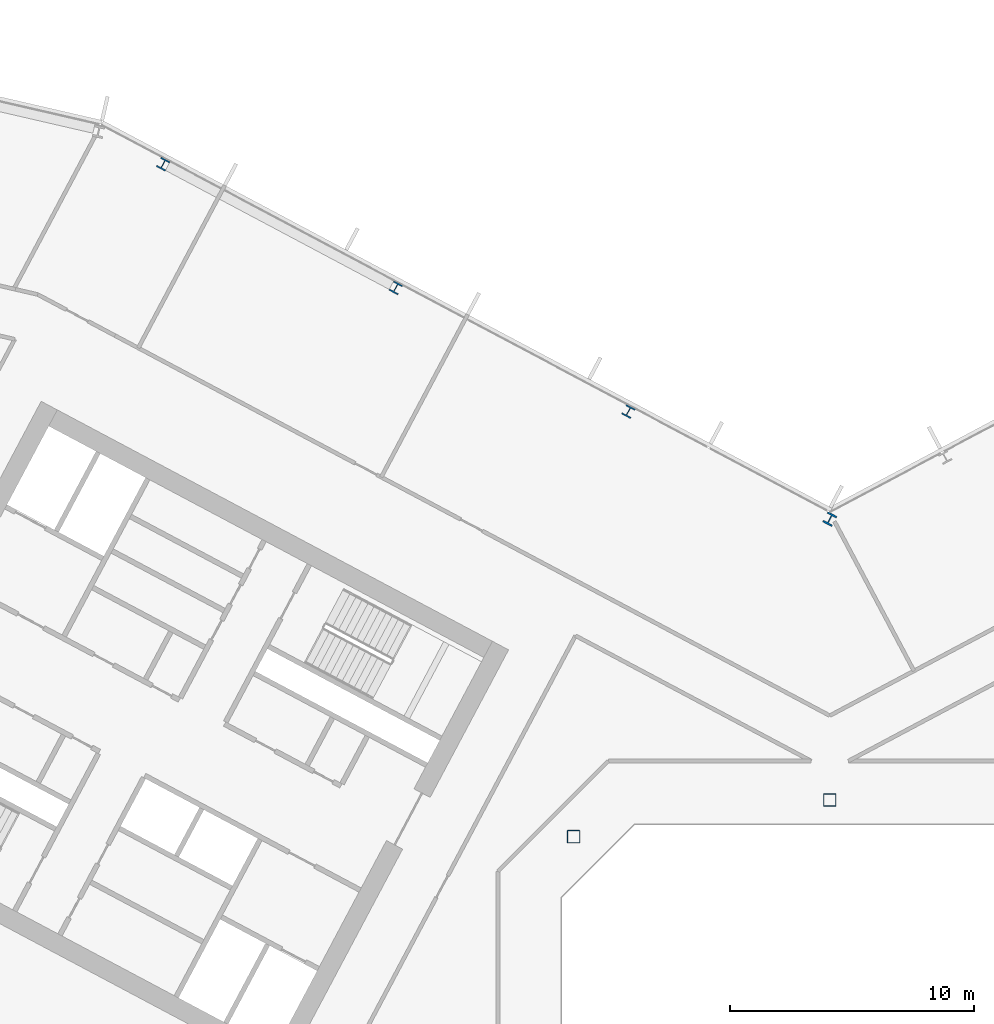
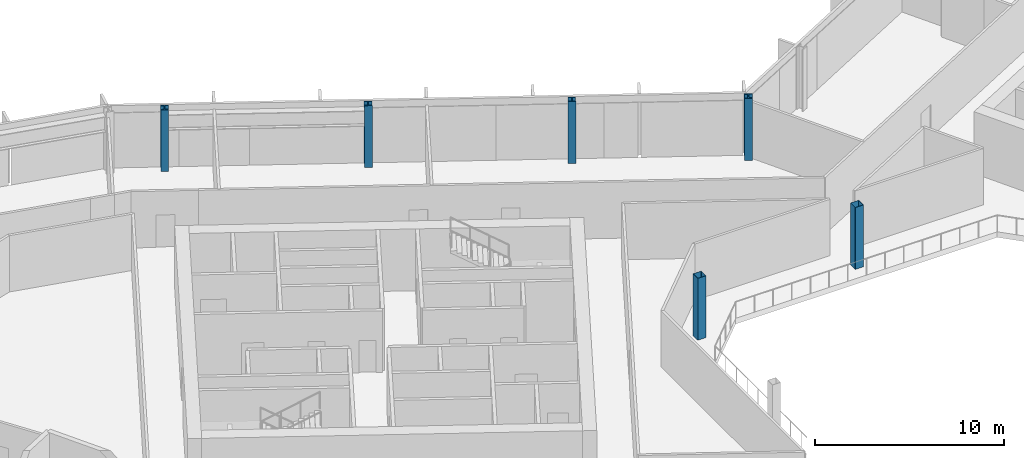
# One storey, part 4 of 28: 6 columns.
"""IFC4 building model written with IfcOpenShell, lengths in metres."""

import ifcopenshell
import ifcopenshell.guid

model = None  # the IFC model being written
_history = None  # IfcOwnerHistory: only IFC2X3 demands one
_inside = {}  # id of a spatial element -> (the spatial element, [elements in it])
_under = {}  # id of a project, library or spatial element -> (it, [spatial elements below it])
_declared = {}  # id of a project -> (the project, [libraries it declares])
_typed = {}  # id of a type object -> (the type object, [elements of that type])
_made_of = {}  # id of a material, layer set ... -> (it, [elements and type objects made of it])


def new_model(schema):
    """Start an empty IFC model of exactly this schema.

    Asked for "IFC4X3", IfcOpenShell would pick the latest addendum, in which some entities
    have other attributes; the version numbers below select the first issue.
    IFC2X3 requires an IfcOwnerHistory on every rooted entity: one is made here for all.
    """
    global model, _history
    if schema == "IFC4X3":
        model = ifcopenshell.file(schema_version=(4, 3, 0, 0))
    else:
        model = ifcopenshell.file(schema=schema)
    _inside.clear()
    _under.clear()
    _declared.clear()
    _typed.clear()
    _made_of.clear()
    _history = None
    if model.schema == "IFC2X3":
        org = make("IfcOrganization", Name="unknown")
        user = make(
            "IfcPersonAndOrganization",
            ThePerson=make("IfcPerson", FamilyName="unknown"),
            TheOrganization=org,
        )
        app = make(
            "IfcApplication",
            ApplicationDeveloper=org,
            Version="unknown",
            ApplicationFullName="unknown",
            ApplicationIdentifier="unknown",
        )
        _history = make(
            "IfcOwnerHistory",
            OwningUser=user,
            OwningApplication=app,
            ChangeAction="ADDED",
            CreationDate=0,
        )
    return model


def make(cls, **values):
    """One entity of the class cls with the attributes given. An attribute that is None is left unset."""
    return model.create_entity(
        cls, **{name: value for name, value in values.items() if value is not None}
    )


def rooted(cls, **values):
    """An entity with a GlobalId (a new one), such as an element, a storey or a relation."""
    return make(cls, GlobalId=ifcopenshell.guid.new(), OwnerHistory=_history, **values)


def si_unit(unit_type, name, prefix=None):
    """IfcSIUnit, for example si_unit("LENGTHUNIT", "METRE", prefix="MILLI")."""
    return make("IfcSIUnit", UnitType=unit_type, Prefix=prefix, Name=name)


def assignment(units):
    """IfcUnitAssignment: the units of a project."""
    return None if units is None else make("IfcUnitAssignment", Units=units)


def point(xyz):
    """IfcCartesianPoint."""
    return None if xyz is None else make("IfcCartesianPoint", Coordinates=xyz)


def direction(xyz):
    """IfcDirection."""
    return None if xyz is None else make("IfcDirection", DirectionRatios=xyz)


def frame(location, z_axis=None, x_axis=None):
    """IfcAxis2Placement3D, a coordinate frame: its origin and axes. An axis left out is left unset."""
    return make(
        "IfcAxis2Placement3D",
        Location=point(location),
        Axis=direction(z_axis),
        RefDirection=direction(x_axis),
    )


def frame_2d(location, x_axis=None):
    """IfcAxis2Placement2D, a coordinate frame in the plane: its origin and x axis."""
    return make(
        "IfcAxis2Placement2D", Location=point(location), RefDirection=direction(x_axis)
    )


def origin():
    """The frame at (0, 0, 0) with its axes left unset."""
    return frame((0.0, 0.0, 0.0))


def origin_2d():
    """The frame at (0, 0) in the plane with its x axis left unset."""
    return frame_2d((0.0, 0.0))


def place(relative_to, where):
    """IfcLocalPlacement: puts the frame where relative to a parent placement (None: the world)."""
    return make(
        "IfcLocalPlacement", PlacementRelTo=relative_to, RelativePlacement=where
    )


def context(
    kind, dimensions, precision=None, world=None, true_north=None, identifier=None
):
    """IfcGeometricRepresentationContext, for example the 3D "Model" context."""
    return make(
        "IfcGeometricRepresentationContext",
        ContextIdentifier=identifier,
        ContextType=kind,
        CoordinateSpaceDimension=dimensions,
        Precision=precision,
        WorldCoordinateSystem=world,
        TrueNorth=true_north,
    )


def subcontext(parent, identifier, kind, view, scale=None):
    """IfcGeometricRepresentationSubContext, for example "Body" below "Model"."""
    return make(
        "IfcGeometricRepresentationSubContext",
        ContextIdentifier=identifier,
        ContextType=kind,
        ParentContext=parent,
        TargetScale=scale,
        TargetView=view,
    )


def project(units=None, contexts=None):
    """IfcProject with its units and contexts."""
    return rooted(
        "IfcProject",
        Name="project",
        RepresentationContexts=contexts,
        UnitsInContext=assignment(units),
    )


def spatial(cls, under=None, at=None, **own):
    """A site, building, storey or space (cls), placed at a placement, below another one or the project."""
    s = rooted(cls, ObjectPlacement=at, **own)
    if under is not None:
        _under.setdefault(under.id(), (under, []))[1].append(s)
    return s


def profile(cls, at=None, kind="AREA", **sizes):
    """A parametric profile (cls). Its sizes go by their IFC names, for example OverallWidth=200.0."""
    return make(cls, ProfileType=kind, Position=at, **sizes)


def hollow_rectangle(**sizes):
    """IfcRectangleHollowProfileDef."""
    return profile("IfcRectangleHollowProfileDef", **sizes)


def i_section(**sizes):
    """IfcIShapeProfileDef."""
    return profile("IfcIShapeProfileDef", **sizes)


def extrude(swept, where, along, depth):
    """IfcExtrudedAreaSolid: the profile swept, set in the frame where, extruded along a direction by depth."""
    return make(
        "IfcExtrudedAreaSolid",
        SweptArea=swept,
        Position=where,
        ExtrudedDirection=direction(along),
        Depth=depth,
    )


def shape(context_of_items, identifier, shape_type, items):
    """IfcShapeRepresentation: the items that make up one representation, for example the "Body"."""
    return make(
        "IfcShapeRepresentation",
        ContextOfItems=context_of_items,
        RepresentationIdentifier=identifier,
        RepresentationType=shape_type,
        Items=items,
    )


def material(Name=None, Category=None):
    """IfcMaterial."""
    return make("IfcMaterial", Name=Name, Category=Category)


def material_profile(
    of_material, cross_section, Name=None, Category=None, Priority=None
):
    """IfcMaterialProfile: a cross section and its material."""
    return make(
        "IfcMaterialProfile",
        Name=Name,
        Material=of_material,
        Profile=cross_section,
        Priority=Priority,
        Category=Category,
    )


def profile_set(profiles, Name=None, composite=None):
    """IfcMaterialProfileSet."""
    return make(
        "IfcMaterialProfileSet",
        Name=Name,
        MaterialProfiles=profiles,
        CompositeProfile=composite,
    )


def made_of(thing, what):
    """Note that an element or type object is made of a material, layer set ...; save() writes the relation."""
    if what is not None:
        _made_of.setdefault(what.id(), (what, []))[1].append(thing)
    return thing


def type_object(cls, material=None, **own):
    """A type object (cls), such as IfcWallType, which elements share."""
    return made_of(rooted(cls, **own), material)


def element(
    cls,
    number,
    at=None,
    inside=None,
    cuts=None,
    type_object=None,
    material=None,
    context=None,
    identifier="Body",
    shape_type=None,
    held_by="IfcProductDefinitionShape",
    body=None,
    shapes=None,
    **own,
):
    """One element of the class cls, such as IfcWall. Its Tag is "e" and its number.

    at: its placement. inside: the storey or other place that contains it. cuts: it is an
    opening in that element (IfcRelVoidsElement). A single representation is given by context,
    identifier, shape_type and body (its items); several are given by shapes. held_by: the class
    of the entity that holds the representations. save() writes the other relations.
    """
    e = rooted(cls, Tag="e%d" % number, ObjectPlacement=at, **own)
    if body is not None:
        shapes = [shape(context, identifier, shape_type, body)]
    if shapes is not None:
        e.Representation = make(held_by, Representations=shapes)
    if inside is not None:
        _inside.setdefault(inside.id(), (inside, []))[1].append(e)
    if cuts is not None:
        rooted(
            "IfcRelVoidsElement", RelatingBuildingElement=cuts, RelatedOpeningElement=e
        )
    if type_object is not None:
        _typed.setdefault(type_object.id(), (type_object, []))[1].append(e)
    return made_of(e, material)


def aggregate(whole, parts):
    """IfcRelAggregates: a whole, such as a stair, and the parts it consists of."""
    return rooted("IfcRelAggregates", RelatingObject=whole, RelatedObjects=parts)


def save(model, path):
    """Write the relations noted so far, then the file.

    IfcRelAggregates (storeys below a building ...), IfcRelContainedInSpatialStructure (elements
    in a storey), IfcRelDefinesByType, IfcRelAssociatesMaterial and IfcRelDeclares: one each for
    every whole, place, type object, material and project.
    """
    for whole, parts in _under.values():
        aggregate(whole, parts)
    for where, things in _inside.values():
        rooted(
            "IfcRelContainedInSpatialStructure",
            RelatedElements=things,
            RelatingStructure=where,
        )
    for kind, things in _typed.values():
        rooted("IfcRelDefinesByType", RelatedObjects=things, RelatingType=kind)
    for what, things in _made_of.values():
        rooted("IfcRelAssociatesMaterial", RelatedObjects=things, RelatingMaterial=what)
    for by, libraries in _declared.values():
        rooted("IfcRelDeclares", RelatingContext=by, RelatedDefinitions=libraries)
    model.write(path)


model = new_model("IFC4")

# Units and contexts
model_context = context("Model", 3, precision=1e-05, world=origin(), true_north=direction((0.0, 1.0)))
body_context = subcontext(model_context, "Body", "Model", "MODEL_VIEW")
ifc_project = project(units=[si_unit("LENGTHUNIT", "METRE"), si_unit("AREAUNIT", "SQUARE_METRE"), si_unit("VOLUMEUNIT", "CUBIC_METRE"), si_unit("PLANEANGLEUNIT", "RADIAN"), si_unit("MASSUNIT", "GRAM", prefix="KILO")], contexts=[model_context])

# Site, building, storey
site_placement = place(None, origin())
site = spatial("IfcSite", under=ifc_project, at=site_placement, CompositionType="ELEMENT")
building_placement = place(site_placement, origin())
building = spatial("IfcBuilding", under=site, at=building_placement, Name="Cormorant Relay Tower", CompositionType="ELEMENT")
storey_placement = place(building_placement, frame((0.0, 0.0, 170.199951171875)))
storey = spatial("IfcBuildingStorey", under=building, at=storey_placement, Name="L36", CompositionType="ELEMENT", Elevation=170.199951171875)

# Columns
ifc_material_1 = material(Name="Steel ASTM A500 Grade C (Fy 345 MPa)", Category="steel")
ifc_material_profile_1 = material_profile(ifc_material_1, hollow_rectangle(XDim=0.508056640625, YDim=0.508056640625, WallThickness=0.01171875, InnerFilletRadius=0.005859375, OuterFilletRadius=0.017822265625, at=origin_2d()), Name="HSS508x508x12")
ifc_profile_set_1 = profile_set([ifc_material_profile_1], Name="Steel ASTM A500 Grade C (Fy 345 MPa)")
column_type_1 = type_object("IfcColumnType", Name="Column HSS508x508x12", PredefinedType="COLUMN", material=ifc_profile_set_1)
for number, where, z_axis, x_axis, name in (
    (1, (-10.5, 10.5, 0.0), (0.0, 0.0, 1.0), (1.0, 0.0, 0.0), "Column L36-023"),
    (2, (0.0, 12.0, 0.0), (0.0, 0.0, 1.0), (1.0, 0.0, 0.0), "Column L36-025"),
):
    element("IfcColumn", number, at=place(storey_placement, frame(where, z_axis=z_axis, x_axis=x_axis)), inside=storey, type_object=column_type_1, Name=name, PredefinedType="COLUMN", context=body_context, shape_type="SweptSolid", body=[
        extrude(hollow_rectangle(XDim=0.508056640625, YDim=0.508056640625, WallThickness=0.01171875, InnerFilletRadius=0.005859375, OuterFilletRadius=0.017822265625, at=origin_2d()), origin(), (0.0, 0.0, 1.0), 4.0),
    ])
ifc_material_2 = material(Name="Steel ASTM A992 (Fy 345 MPa)", Category="steel")
ifc_material_profile_2 = material_profile(ifc_material_2, i_section(OverallWidth=0.41162109375, OverallDepth=0.434326171875, WebThickness=0.035888671875, FlangeThickness=0.057373046875, FilletRadius=0.01513671875, at=origin_2d()), Name="W360x463")
ifc_profile_set_2 = profile_set([ifc_material_profile_2], Name="Steel ASTM A992 (Fy 345 MPa)")
column_type_2 = type_object("IfcColumnType", Name="Column W360x463", PredefinedType="COLUMN", material=ifc_profile_set_2)
for number, where, z_axis, x_axis, name in (
    (3, (-8.257080078125, 27.925048828125, 0.0), (0.0, 0.0, 1.0), (-0.882947592859, 0.469471562786, 0.0), "Column L36-036"),
    (4, (-17.7919921875, 32.9951171875, 0.0), (0.0, 0.0, 1.0), (-0.882947592859, 0.469471562786, 0.0), "Column L36-040"),
    (5, (-27.327880859375, 38.06494140625, 0.0), (0.0, 0.0, 1.0), (-0.882947592859, 0.469471562786, 0.0), "Column L36-044"),
):
    element("IfcColumn", number, at=place(storey_placement, frame(where, z_axis=z_axis, x_axis=x_axis)), inside=storey, type_object=column_type_2, Name=name, PredefinedType="COLUMN", context=body_context, shape_type="SweptSolid", body=[
        extrude(i_section(OverallWidth=0.41162109375, OverallDepth=0.434326171875, WebThickness=0.035888671875, FlangeThickness=0.057373046875, FilletRadius=0.01513671875, at=origin_2d()), origin(), (0.0, 0.0, 1.0), 4.0),
    ])
ifc_material_3 = material(Name="Steel ASTM A992 (Fy 345 MPa)", Category="steel")
ifc_material_profile_3 = material_profile(ifc_material_3, i_section(OverallWidth=0.42431640625, OverallDepth=0.47509765625, WebThickness=0.0478515625, FlangeThickness=0.0771484375, FilletRadius=0.014892578125, at=origin_2d()), Name="W360x634")
ifc_profile_set_3 = profile_set([ifc_material_profile_3], Name="Steel ASTM A992 (Fy 345 MPa)")
column_type_3 = type_object("IfcColumnType", Name="Column W360x634", PredefinedType="COLUMN", material=ifc_profile_set_3)
column_placement = place(storey_placement, frame((0.0, 23.513916015625, 0.0), z_axis=(0.0, 0.0, 1.0), x_axis=(-0.882947592859, 0.469471562786, 0.0)))
element("IfcColumn", 6, at=column_placement, inside=storey, type_object=column_type_3, Name="Column L36-032", PredefinedType="COLUMN", context=body_context, shape_type="SweptSolid", body=[
    extrude(i_section(OverallWidth=0.42431640625, OverallDepth=0.47509765625, WebThickness=0.0478515625, FlangeThickness=0.0771484375, FilletRadius=0.014892578125, at=origin_2d()), origin(), (0.0, 0.0, 1.0), 4.0),
])

save(model, "model.ifc")
